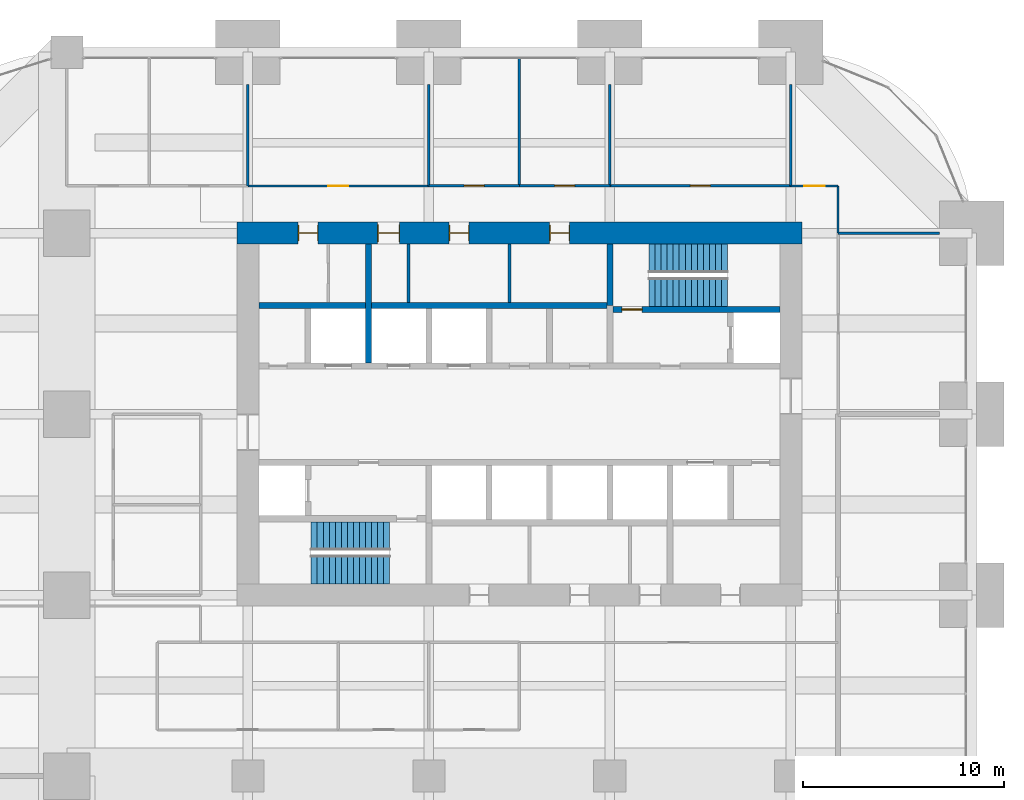
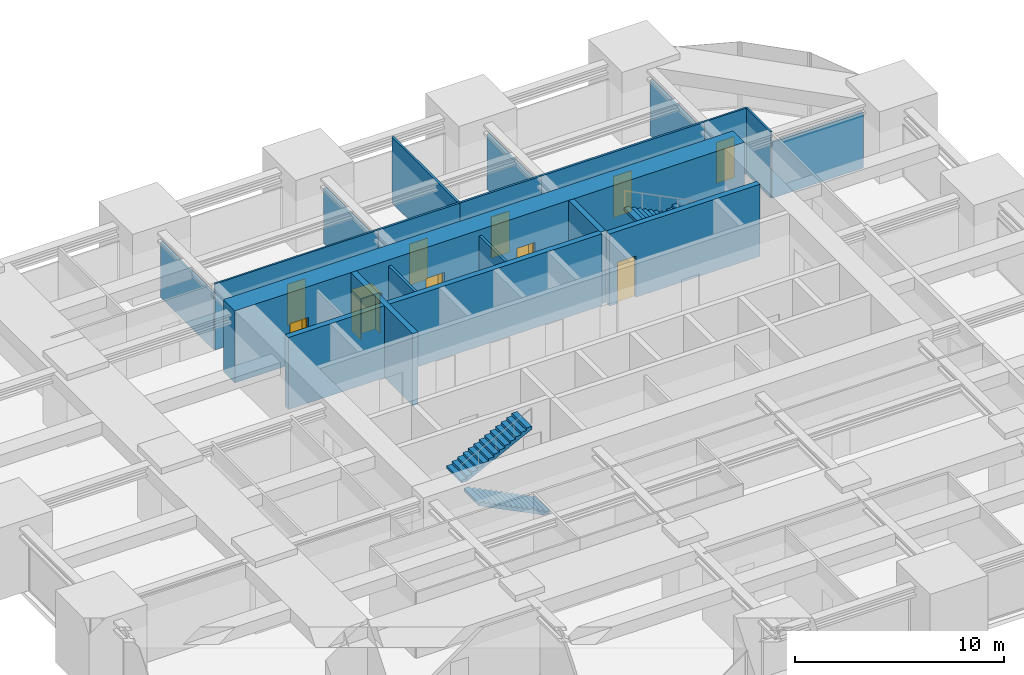
# One storey, part 38 of 39: 19 walls, 10 doors, 4 stair flights, 10 openings, 2 elements without a shape of their own.
"""IFC4 building model written with IfcOpenShell, lengths in metres."""

import ifcopenshell
import ifcopenshell.guid

model = None  # the IFC model being written
_history = None  # IfcOwnerHistory: only IFC2X3 demands one
_inside = {}  # id of a spatial element -> (the spatial element, [elements in it])
_under = {}  # id of a project, library or spatial element -> (it, [spatial elements below it])
_declared = {}  # id of a project -> (the project, [libraries it declares])
_typed = {}  # id of a type object -> (the type object, [elements of that type])
_made_of = {}  # id of a material, layer set ... -> (it, [elements and type objects made of it])


def new_model(schema):
    """Start an empty IFC model of exactly this schema.

    Asked for "IFC4X3", IfcOpenShell would pick the latest addendum, in which some entities
    have other attributes; the version numbers below select the first issue.
    IFC2X3 requires an IfcOwnerHistory on every rooted entity: one is made here for all.
    """
    global model, _history
    if schema == "IFC4X3":
        model = ifcopenshell.file(schema_version=(4, 3, 0, 0))
    else:
        model = ifcopenshell.file(schema=schema)
    _inside.clear()
    _under.clear()
    _declared.clear()
    _typed.clear()
    _made_of.clear()
    _history = None
    if model.schema == "IFC2X3":
        org = make("IfcOrganization", Name="unknown")
        user = make(
            "IfcPersonAndOrganization",
            ThePerson=make("IfcPerson", FamilyName="unknown"),
            TheOrganization=org,
        )
        app = make(
            "IfcApplication",
            ApplicationDeveloper=org,
            Version="unknown",
            ApplicationFullName="unknown",
            ApplicationIdentifier="unknown",
        )
        _history = make(
            "IfcOwnerHistory",
            OwningUser=user,
            OwningApplication=app,
            ChangeAction="ADDED",
            CreationDate=0,
        )
    return model


def make(cls, **values):
    """One entity of the class cls with the attributes given. An attribute that is None is left unset."""
    return model.create_entity(
        cls, **{name: value for name, value in values.items() if value is not None}
    )


def rooted(cls, **values):
    """An entity with a GlobalId (a new one), such as an element, a storey or a relation."""
    return make(cls, GlobalId=ifcopenshell.guid.new(), OwnerHistory=_history, **values)


def si_unit(unit_type, name, prefix=None):
    """IfcSIUnit, for example si_unit("LENGTHUNIT", "METRE", prefix="MILLI")."""
    return make("IfcSIUnit", UnitType=unit_type, Prefix=prefix, Name=name)


def assignment(units):
    """IfcUnitAssignment: the units of a project."""
    return None if units is None else make("IfcUnitAssignment", Units=units)


def point(xyz):
    """IfcCartesianPoint."""
    return None if xyz is None else make("IfcCartesianPoint", Coordinates=xyz)


def direction(xyz):
    """IfcDirection."""
    return None if xyz is None else make("IfcDirection", DirectionRatios=xyz)


def frame(location, z_axis=None, x_axis=None):
    """IfcAxis2Placement3D, a coordinate frame: its origin and axes. An axis left out is left unset."""
    return make(
        "IfcAxis2Placement3D",
        Location=point(location),
        Axis=direction(z_axis),
        RefDirection=direction(x_axis),
    )


def frame_2d(location, x_axis=None):
    """IfcAxis2Placement2D, a coordinate frame in the plane: its origin and x axis."""
    return make(
        "IfcAxis2Placement2D", Location=point(location), RefDirection=direction(x_axis)
    )


def origin():
    """The frame at (0, 0, 0) with its axes left unset."""
    return frame((0.0, 0.0, 0.0))


def place(relative_to, where):
    """IfcLocalPlacement: puts the frame where relative to a parent placement (None: the world)."""
    return make(
        "IfcLocalPlacement", PlacementRelTo=relative_to, RelativePlacement=where
    )


def context(
    kind, dimensions, precision=None, world=None, true_north=None, identifier=None
):
    """IfcGeometricRepresentationContext, for example the 3D "Model" context."""
    return make(
        "IfcGeometricRepresentationContext",
        ContextIdentifier=identifier,
        ContextType=kind,
        CoordinateSpaceDimension=dimensions,
        Precision=precision,
        WorldCoordinateSystem=world,
        TrueNorth=true_north,
    )


def subcontext(parent, identifier, kind, view, scale=None):
    """IfcGeometricRepresentationSubContext, for example "Body" below "Model"."""
    return make(
        "IfcGeometricRepresentationSubContext",
        ContextIdentifier=identifier,
        ContextType=kind,
        ParentContext=parent,
        TargetScale=scale,
        TargetView=view,
    )


def project(units=None, contexts=None):
    """IfcProject with its units and contexts."""
    return rooted(
        "IfcProject",
        Name="project",
        RepresentationContexts=contexts,
        UnitsInContext=assignment(units),
    )


def spatial(cls, under=None, at=None, **own):
    """A site, building, storey or space (cls), placed at a placement, below another one or the project."""
    s = rooted(cls, ObjectPlacement=at, **own)
    if under is not None:
        _under.setdefault(under.id(), (under, []))[1].append(s)
    return s


def polyline(points):
    """IfcPolyline through the points."""
    return make("IfcPolyline", Points=[point(p) for p in points])


def profile(cls, at=None, kind="AREA", **sizes):
    """A parametric profile (cls). Its sizes go by their IFC names, for example OverallWidth=200.0."""
    return make(cls, ProfileType=kind, Position=at, **sizes)


def rectangle(**sizes):
    """IfcRectangleProfileDef."""
    return profile("IfcRectangleProfileDef", **sizes)


def outline(outer, holes=None, kind="AREA"):
    """IfcArbitraryClosedProfileDef: a profile drawn as a closed curve; with holes, ...WithVoids."""
    if holes is None:
        return make("IfcArbitraryClosedProfileDef", ProfileType=kind, OuterCurve=outer)
    return make(
        "IfcArbitraryProfileDefWithVoids",
        ProfileType=kind,
        OuterCurve=outer,
        InnerCurves=holes,
    )


def extrude(swept, where, along, depth):
    """IfcExtrudedAreaSolid: the profile swept, set in the frame where, extruded along a direction by depth."""
    return make(
        "IfcExtrudedAreaSolid",
        SweptArea=swept,
        Position=where,
        ExtrudedDirection=direction(along),
        Depth=depth,
    )


def shape(context_of_items, identifier, shape_type, items):
    """IfcShapeRepresentation: the items that make up one representation, for example the "Body"."""
    return make(
        "IfcShapeRepresentation",
        ContextOfItems=context_of_items,
        RepresentationIdentifier=identifier,
        RepresentationType=shape_type,
        Items=items,
    )


def material(Name=None, Category=None):
    """IfcMaterial."""
    return make("IfcMaterial", Name=Name, Category=Category)


def layer(
    of_material, thickness, ventilated=None, Name=None, Category=None, Priority=None
):
    """IfcMaterialLayer: one layer of a wall or slab, of a material (None: an air gap)."""
    return make(
        "IfcMaterialLayer",
        Material=of_material,
        LayerThickness=thickness,
        IsVentilated=ventilated,
        Name=Name,
        Category=Category,
        Priority=Priority,
    )


def layer_set(layers, Name=None):
    """IfcMaterialLayerSet."""
    return make("IfcMaterialLayerSet", MaterialLayers=layers, LayerSetName=Name)


def made_of(thing, what):
    """Note that an element or type object is made of a material, layer set ...; save() writes the relation."""
    if what is not None:
        _made_of.setdefault(what.id(), (what, []))[1].append(thing)
    return thing


def type_object(cls, material=None, **own):
    """A type object (cls), such as IfcWallType, which elements share."""
    return made_of(rooted(cls, **own), material)


def element(
    cls,
    number,
    at=None,
    inside=None,
    cuts=None,
    type_object=None,
    material=None,
    context=None,
    identifier="Body",
    shape_type=None,
    held_by="IfcProductDefinitionShape",
    body=None,
    shapes=None,
    **own,
):
    """One element of the class cls, such as IfcWall. Its Tag is "e" and its number.

    at: its placement. inside: the storey or other place that contains it. cuts: it is an
    opening in that element (IfcRelVoidsElement). A single representation is given by context,
    identifier, shape_type and body (its items); several are given by shapes. held_by: the class
    of the entity that holds the representations. save() writes the other relations.
    """
    e = rooted(cls, Tag="e%d" % number, ObjectPlacement=at, **own)
    if body is not None:
        shapes = [shape(context, identifier, shape_type, body)]
    if shapes is not None:
        e.Representation = make(held_by, Representations=shapes)
    if inside is not None:
        _inside.setdefault(inside.id(), (inside, []))[1].append(e)
    if cuts is not None:
        rooted(
            "IfcRelVoidsElement", RelatingBuildingElement=cuts, RelatedOpeningElement=e
        )
    if type_object is not None:
        _typed.setdefault(type_object.id(), (type_object, []))[1].append(e)
    return made_of(e, material)


def fill(opening, filler):
    """IfcRelFillsElement: the door or window that sits in an opening."""
    return rooted(
        "IfcRelFillsElement",
        RelatingOpeningElement=opening,
        RelatedBuildingElement=filler,
    )


def aggregate(whole, parts):
    """IfcRelAggregates: a whole, such as a stair, and the parts it consists of."""
    return rooted("IfcRelAggregates", RelatingObject=whole, RelatedObjects=parts)


def save(model, path):
    """Write the relations noted so far, then the file.

    IfcRelAggregates (storeys below a building ...), IfcRelContainedInSpatialStructure (elements
    in a storey), IfcRelDefinesByType, IfcRelAssociatesMaterial and IfcRelDeclares: one each for
    every whole, place, type object, material and project.
    """
    for whole, parts in _under.values():
        aggregate(whole, parts)
    for where, things in _inside.values():
        rooted(
            "IfcRelContainedInSpatialStructure",
            RelatedElements=things,
            RelatingStructure=where,
        )
    for kind, things in _typed.values():
        rooted("IfcRelDefinesByType", RelatedObjects=things, RelatingType=kind)
    for what, things in _made_of.values():
        rooted("IfcRelAssociatesMaterial", RelatedObjects=things, RelatingMaterial=what)
    for by, libraries in _declared.values():
        rooted("IfcRelDeclares", RelatingContext=by, RelatedDefinitions=libraries)
    model.write(path)


model = new_model("IFC4")

# Units and contexts
model_context = context("Model", 3, precision=1e-05, world=origin(), true_north=direction((0.0, 1.0)))
body_context = subcontext(model_context, "Body", "Model", "MODEL_VIEW")
ifc_project = project(units=[si_unit("LENGTHUNIT", "METRE"), si_unit("AREAUNIT", "SQUARE_METRE"), si_unit("VOLUMEUNIT", "CUBIC_METRE"), si_unit("PLANEANGLEUNIT", "RADIAN"), si_unit("MASSUNIT", "GRAM", prefix="KILO")], contexts=[model_context])

# Site, building, storey
site_placement = place(None, origin())
site = spatial("IfcSite", under=ifc_project, at=site_placement, CompositionType="ELEMENT")
building_placement = place(site_placement, origin())
building = spatial("IfcBuilding", under=site, at=building_placement, Name="Zorevar Civic Tower", CompositionType="ELEMENT")
storey_placement = place(building_placement, frame((0.0, 0.0, 230.199951171875)))
storey = spatial("IfcBuildingStorey", under=building, at=storey_placement, Name="L56", CompositionType="ELEMENT", Elevation=230.199951171875)

# Wall, openings, doors
ifc_material_1 = material(Name="Concrete C50/60", Category="concrete")
ifc_layer_1 = layer(ifc_material_1, 1.10009765625)
ifc_layer_set_1 = layer_set([ifc_layer_1], Name="Core wall 1100")
wall_type_1 = type_object("IfcWallType", Name="Core wall 1100", PredefinedType="SHEAR", material=ifc_layer_set_1)
wall_1_placement = place(storey_placement, frame((45.550048828125, 36.0, 0.0), z_axis=(0.0, 0.0, 1.0), x_axis=(-1.0, 0.0, 0.0)))
wall_1 = element("IfcWall", 1, at=wall_1_placement, inside=storey, type_object=wall_type_1, Name="Core wall N L56", PredefinedType="SHEAR", context=body_context, shape_type="SweptSolid", body=[
    extrude(rectangle(XDim=28.10009765625, YDim=1.10009765625, at=frame_2d((14.050048828125, 0.0))), origin(), (0.0, 0.0, 1.0), 4.199951171875),
])
opening_1_placement = place(wall_1_placement, frame((11.550048828125, 0.0, 0.0)))
opening_1 = element("IfcOpeningElement", 2, at=opening_1_placement, cuts=wall_1, Name="Opening L56.07", PredefinedType="OPENING", context=body_context, shape_type="SweptSolid", body=[
    extrude(rectangle(XDim=1.0, YDim=2.39990234375, at=frame_2d((0.5, 1.199951171875))), frame((0.0, 0.56005859375, 0.0), z_axis=(0.0, -1.0, 0.0), x_axis=(1.0, 0.0, 0.0)), (0.0, 0.0, 1.0), 1.1201171875),
])
opening_2_placement = place(wall_1_placement, frame((16.550048828125, 0.0, 0.0)))
opening_2 = element("IfcOpeningElement", 3, at=opening_2_placement, cuts=wall_1, Name="Opening L56.08", PredefinedType="OPENING", context=body_context, shape_type="SweptSolid", body=[
    extrude(rectangle(XDim=1.0, YDim=2.39990234375, at=frame_2d((0.5, 1.199951171875))), frame((0.0, 0.56005859375, 0.0), z_axis=(0.0, -1.0, 0.0), x_axis=(1.0, 0.0, 0.0)), (0.0, 0.0, 1.0), 1.1201171875),
])
opening_3_placement = place(wall_1_placement, frame((20.0, 0.0, 0.0)))
opening_3 = element("IfcOpeningElement", 4, at=opening_3_placement, cuts=wall_1, Name="Opening L56.09", PredefinedType="OPENING", context=body_context, shape_type="SweptSolid", body=[
    extrude(rectangle(XDim=1.10009765625, YDim=2.39990234375, at=frame_2d((0.550048828125, 1.199951171875))), frame((0.0, 0.56005859375, 0.0), z_axis=(0.0, -1.0, 0.0), x_axis=(1.0, 0.0, 0.0)), (0.0, 0.0, 1.0), 1.1201171875),
])
opening_4_placement = place(wall_1_placement, frame((24.050048828125, 0.0, 0.0)))
opening_4 = element("IfcOpeningElement", 5, at=opening_4_placement, cuts=wall_1, Name="Opening L56.10", PredefinedType="OPENING", context=body_context, shape_type="SweptSolid", body=[
    extrude(rectangle(XDim=1.0, YDim=2.39990234375, at=frame_2d((0.5, 1.199951171875))), frame((0.0, 0.56005859375, 0.0), z_axis=(0.0, -1.0, 0.0), x_axis=(1.0, 0.0, 0.0)), (0.0, 0.0, 1.0), 1.1201171875),
])
ifc_material_2 = material(Name="Timber door set", Category="wood")
door_type_1 = type_object("IfcDoorType", Name="Door D1 1000x2400", OperationType="SINGLE_SWING_LEFT", PredefinedType="DOOR", material=ifc_material_2)
door_1_placement = place(opening_1_placement, origin())
door_1 = element("IfcDoor", 6, at=door_1_placement, inside=storey, type_object=door_type_1, Name="Door L56 06", OperationType="SINGLE_SWING_RIGHT", OverallHeight=2.39990234375, OverallWidth=1.0, PredefinedType="DOOR", context=body_context, shape_type="SweptSolid", body=[
    extrude(rectangle(XDim=1.0, YDim=2.39990234375, at=frame_2d((0.5, 1.199951171875))), frame((0.0, 0.02490234375, 0.0), z_axis=(0.0, -1.0, 0.0), x_axis=(1.0, 0.0, 0.0)), (0.0, 0.0, 1.0), 0.050048828125),
    extrude(rectangle(XDim=0.04, YDim=2.39990234375, at=frame_2d((0.02001953125, 1.199951171875))), frame((0.0, 0.39990234375, 0.0), z_axis=(0.0, -1.0, 0.0), x_axis=(1.0, 0.0, 0.0)), (0.0, 0.0, 1.0), 0.800048828125),
    extrude(rectangle(XDim=0.04, YDim=2.39990234375, at=frame_2d((0.97998046875, 1.199951171875))), frame((0.0, 0.39990234375, 0.0), z_axis=(0.0, -1.0, 0.0), x_axis=(1.0, 0.0, 0.0)), (0.0, 0.0, 1.0), 0.800048828125),
    extrude(rectangle(XDim=1.0, YDim=0.04, at=frame_2d((0.5, 2.3798828125))), frame((0.0, 0.39990234375, 0.0), z_axis=(0.0, -1.0, 0.0), x_axis=(1.0, 0.0, 0.0)), (0.0, 0.0, 1.0), 0.800048828125),
])
fill(opening_1, door_1)
door_2_placement = place(opening_2_placement, origin())
door_2 = element("IfcDoor", 7, at=door_2_placement, inside=storey, type_object=door_type_1, Name="Door L56 07", OperationType="SINGLE_SWING_LEFT", OverallHeight=2.39990234375, OverallWidth=1.0, PredefinedType="DOOR", context=body_context, shape_type="SweptSolid", body=[
    extrude(rectangle(XDim=1.0, YDim=2.39990234375, at=frame_2d((0.5, 1.199951171875))), frame((0.0, 0.02490234375, 0.0), z_axis=(0.0, -1.0, 0.0), x_axis=(1.0, 0.0, 0.0)), (0.0, 0.0, 1.0), 0.050048828125),
    extrude(rectangle(XDim=0.04, YDim=2.39990234375, at=frame_2d((0.02001953125, 1.199951171875))), frame((0.0, 0.39990234375, 0.0), z_axis=(0.0, -1.0, 0.0), x_axis=(1.0, 0.0, 0.0)), (0.0, 0.0, 1.0), 0.800048828125),
    extrude(rectangle(XDim=0.04, YDim=2.39990234375, at=frame_2d((0.97998046875, 1.199951171875))), frame((0.0, 0.39990234375, 0.0), z_axis=(0.0, -1.0, 0.0), x_axis=(1.0, 0.0, 0.0)), (0.0, 0.0, 1.0), 0.800048828125),
    extrude(rectangle(XDim=1.0, YDim=0.04, at=frame_2d((0.5, 2.3798828125))), frame((0.0, 0.39990234375, 0.0), z_axis=(0.0, -1.0, 0.0), x_axis=(1.0, 0.0, 0.0)), (0.0, 0.0, 1.0), 0.800048828125),
])
fill(opening_2, door_2)
door_3_placement = place(opening_4_placement, origin())
door_3 = element("IfcDoor", 8, at=door_3_placement, inside=storey, type_object=door_type_1, Name="Door L56 09", OperationType="SINGLE_SWING_LEFT", OverallHeight=2.39990234375, OverallWidth=1.0, PredefinedType="DOOR", context=body_context, shape_type="SweptSolid", body=[
    extrude(rectangle(XDim=1.0, YDim=2.39990234375, at=frame_2d((0.5, 1.199951171875))), frame((0.0, 0.02490234375, 0.0), z_axis=(0.0, -1.0, 0.0), x_axis=(1.0, 0.0, 0.0)), (0.0, 0.0, 1.0), 0.050048828125),
    extrude(rectangle(XDim=0.04, YDim=2.39990234375, at=frame_2d((0.02001953125, 1.199951171875))), frame((0.0, 0.39990234375, 0.0), z_axis=(0.0, -1.0, 0.0), x_axis=(1.0, 0.0, 0.0)), (0.0, 0.0, 1.0), 0.800048828125),
    extrude(rectangle(XDim=0.04, YDim=2.39990234375, at=frame_2d((0.97998046875, 1.199951171875))), frame((0.0, 0.39990234375, 0.0), z_axis=(0.0, -1.0, 0.0), x_axis=(1.0, 0.0, 0.0)), (0.0, 0.0, 1.0), 0.800048828125),
    extrude(rectangle(XDim=1.0, YDim=0.04, at=frame_2d((0.5, 2.3798828125))), frame((0.0, 0.39990234375, 0.0), z_axis=(0.0, -1.0, 0.0), x_axis=(1.0, 0.0, 0.0)), (0.0, 0.0, 1.0), 0.800048828125),
])
fill(opening_4, door_3)
ifc_material_3 = material(Name="Timber door set", Category="wood")
door_type_2 = type_object("IfcDoorType", Name="Door D5 1100x2400", OperationType="SINGLE_SWING_LEFT", PredefinedType="DOOR", material=ifc_material_3)
door_4_placement = place(opening_3_placement, origin())
door_4 = element("IfcDoor", 9, at=door_4_placement, inside=storey, type_object=door_type_2, Name="Door L56 08", OperationType="SINGLE_SWING_LEFT", OverallHeight=2.39990234375, OverallWidth=1.10009765625, PredefinedType="DOOR", context=body_context, shape_type="SweptSolid", body=[
    extrude(rectangle(XDim=1.10009765625, YDim=2.39990234375, at=frame_2d((0.550048828125, 1.199951171875))), frame((0.0, 0.02490234375, 0.0), z_axis=(0.0, -1.0, 0.0), x_axis=(1.0, 0.0, 0.0)), (0.0, 0.0, 1.0), 0.050048828125),
    extrude(rectangle(XDim=0.04, YDim=2.39990234375, at=frame_2d((0.02001953125, 1.199951171875))), frame((0.0, 0.43994140625, 0.0), z_axis=(0.0, -1.0, 0.0), x_axis=(1.0, 0.0, 0.0)), (0.0, 0.0, 1.0), 0.880126953125),
    extrude(rectangle(XDim=0.04, YDim=2.39990234375, at=frame_2d((1.080078125, 1.199951171875))), frame((0.0, 0.43994140625, 0.0), z_axis=(0.0, -1.0, 0.0), x_axis=(1.0, 0.0, 0.0)), (0.0, 0.0, 1.0), 0.880126953125),
    extrude(rectangle(XDim=1.10009765625, YDim=0.04, at=frame_2d((0.550048828125, 2.3798828125))), frame((0.0, 0.43994140625, 0.0), z_axis=(0.0, -1.0, 0.0), x_axis=(1.0, 0.0, 0.0)), (0.0, 0.0, 1.0), 0.880126953125),
])
fill(opening_3, door_4)

# Wall, opening, door
ifc_material_4 = material(Name="Laminated glass in black aluminium frame", Category="aluminium")
ifc_layer_2 = layer(ifc_material_4, 0.10009765625)
ifc_layer_set_2 = layer_set([ifc_layer_2], Name="Glazed partition 100")
wall_type_2 = type_object("IfcWallType", Name="Glazed partition 100", PredefinedType="PARTITIONING", material=ifc_layer_set_2)
wall_2_placement = place(storey_placement, frame((18.0, 38.35009765625, 0.0), z_axis=(0.0, 0.0, 1.0), x_axis=(1.0, 0.0, 0.0)))
wall_2 = element("IfcWall", 10, at=wall_2_placement, inside=storey, type_object=wall_type_2, Name="Glazed partition 100 L56", PredefinedType="PARTITIONING", context=body_context, shape_type="SweptSolid", body=[
    extrude(rectangle(XDim=9.0, YDim=0.10009765625, at=frame_2d((4.5, 0.0))), origin(), (0.0, 0.0, 1.0), 3.85009765625),
])
opening_5_placement = place(wall_2_placement, frame((4.0, 0.0, 0.0)))
opening_5 = element("IfcOpeningElement", 11, at=opening_5_placement, cuts=wall_2, Name="Opening L56.29", PredefinedType="OPENING", context=body_context, shape_type="SweptSolid", body=[
    extrude(rectangle(XDim=1.0, YDim=2.39990234375, at=frame_2d((0.5, 1.199951171875))), frame((0.0, 0.06005859375, 0.0), z_axis=(0.0, -1.0, 0.0), x_axis=(1.0, 0.0, 0.0)), (0.0, 0.0, 1.0), 0.1201171875),
])
ifc_material_5 = material(Name="Timber door set", Category="wood")
door_type_3 = type_object("IfcDoorType", Name="Glazed door GD1 1000x2400", OperationType="SINGLE_SWING_LEFT", PredefinedType="DOOR", material=ifc_material_5)
door_5_placement = place(opening_5_placement, origin())
door_5 = element("IfcDoor", 12, at=door_5_placement, inside=storey, type_object=door_type_3, Name="Door L56 D1", OperationType="SINGLE_SWING_RIGHT", OverallHeight=2.39990234375, OverallWidth=1.0, PredefinedType="DOOR", context=body_context, shape_type="SweptSolid", body=[
    extrude(rectangle(XDim=1.0, YDim=2.39990234375, at=frame_2d((0.5, 1.199951171875))), frame((0.0, 0.02001953125, 0.0), z_axis=(0.0, -1.0, 0.0), x_axis=(1.0, 0.0, 0.0)), (0.0, 0.0, 1.0), 0.0400390625),
])
fill(opening_5, door_5)

wall_3_placement = place(storey_placement, frame((45.0, 38.35009765625, 0.0), z_axis=(0.0, 0.0, 1.0), x_axis=(1.0, 0.0, 0.0)))
wall_3 = element("IfcWall", 13, at=wall_3_placement, inside=storey, type_object=wall_type_2, Name="Glazed partition 100 L56", PredefinedType="PARTITIONING", context=body_context, shape_type="SweptSolid", body=[
    extrude(rectangle(XDim=2.35009765625, YDim=0.10009765625, at=frame_2d((1.175048828125, 0.0))), origin(), (0.0, 0.0, 1.0), 3.85009765625),
])
opening_6_placement = place(wall_3_placement, frame((0.675048828125, 0.0, 0.0)))
opening_6 = element("IfcOpeningElement", 14, at=opening_6_placement, cuts=wall_3, Name="Opening L56.30", PredefinedType="OPENING", context=body_context, shape_type="SweptSolid", body=[
    extrude(rectangle(XDim=1.0, YDim=2.39990234375, at=frame_2d((0.5, 1.199951171875))), frame((0.0, 0.06005859375, 0.0), z_axis=(0.0, -1.0, 0.0), x_axis=(1.0, 0.0, 0.0)), (0.0, 0.0, 1.0), 0.1201171875),
])
door_6_placement = place(opening_6_placement, origin())
door_6 = element("IfcDoor", 15, at=door_6_placement, inside=storey, type_object=door_type_3, Name="Door L56 D1", OperationType="SINGLE_SWING_RIGHT", OverallHeight=2.39990234375, OverallWidth=1.0, PredefinedType="DOOR", context=body_context, shape_type="SweptSolid", body=[
    extrude(rectangle(XDim=1.0, YDim=2.39990234375, at=frame_2d((0.5, 1.199951171875))), frame((0.0, 0.02001953125, 0.0), z_axis=(0.0, -1.0, 0.0), x_axis=(1.0, 0.0, 0.0)), (0.0, 0.0, 1.0), 0.0400390625),
])
fill(opening_6, door_6)

# Wall
wall_4_placement = place(storey_placement, frame((47.35009765625, 36.0, 0.0), z_axis=(0.0, 0.0, 1.0), x_axis=(0.0, 1.0, 0.0)))
element("IfcWall", 16, at=wall_4_placement, inside=storey, type_object=wall_type_2, Name="Glazed partition 100 L56", PredefinedType="PARTITIONING", context=body_context, shape_type="SweptSolid", body=[
    extrude(rectangle(XDim=2.35009765625, YDim=0.10009765625, at=frame_2d((1.175048828125, 0.0))), origin(), (0.0, 0.0, 1.0), 3.85009765625),
])

# Wall, opening, door
ifc_material_6 = material(Name="Concrete C40/50", Category="concrete")
ifc_layer_3 = layer(ifc_material_6, 0.300048828125)
ifc_layer_set_3 = layer_set([ifc_layer_3], Name="Inner core wall 300")
wall_type_3 = type_object("IfcWallType", Name="Inner core wall 300", PredefinedType="SHEAR", material=ifc_layer_set_3)
wall_5_placement = place(storey_placement, frame((36.14990234375, 32.199951171875, 0.0), z_axis=(0.0, 0.0, 1.0), x_axis=(1.0, 0.0, 0.0)))
wall_5 = element("IfcWall", 17, at=wall_5_placement, inside=storey, type_object=wall_type_3, Name="Inner core wall N00 L56", PredefinedType="SHEAR", context=body_context, shape_type="SweptSolid", body=[
    extrude(rectangle(XDim=8.300048828125, YDim=0.300048828125, at=frame_2d((4.14990234375, 0.0))), origin(), (0.0, 0.0, 1.0), 4.199951171875),
])
opening_7_placement = place(wall_5_placement, frame((0.449951171875, 0.0, 0.0)))
opening_7 = element("IfcOpeningElement", 18, at=opening_7_placement, cuts=wall_5, Name="Opening L56.12", PredefinedType="OPENING", context=body_context, shape_type="SweptSolid", body=[
    extrude(rectangle(XDim=1.0, YDim=2.39990234375, at=frame_2d((0.5, 1.199951171875))), frame((0.0, 0.159912109375, 0.0), z_axis=(0.0, -1.0, 0.0), x_axis=(1.0, 0.0, 0.0)), (0.0, 0.0, 1.0), 0.320068359375),
])
ifc_material_7 = material(Name="Steel door set", Category="steel")
door_type_4 = type_object("IfcDoorType", Name="Fire door FD1 1000x2400", OperationType="SINGLE_SWING_LEFT", PredefinedType="DOOR", material=ifc_material_7)
door_7_placement = place(opening_7_placement, origin())
door_7 = element("IfcDoor", 19, at=door_7_placement, inside=storey, type_object=door_type_4, Name="Door L56 11", OperationType="SINGLE_SWING_RIGHT", OverallHeight=2.39990234375, OverallWidth=1.0, PredefinedType="DOOR", context=body_context, shape_type="SweptSolid", body=[
    extrude(rectangle(XDim=1.0, YDim=2.39990234375, at=frame_2d((0.5, 1.199951171875))), frame((0.0, 0.030029296875, 0.0), z_axis=(0.0, -1.0, 0.0), x_axis=(1.0, 0.0, 0.0)), (0.0, 0.0, 1.0), 0.06005859375),
])
fill(opening_7, door_7)

# Walls
wall_6_placement = place(storey_placement, frame((36.0, 32.39990234375, 0.0), z_axis=(0.0, 0.0, 1.0), x_axis=(0.0, 1.0, 0.0)))
element("IfcWall", 20, at=wall_6_placement, inside=storey, type_object=wall_type_3, Name="Inner core wall N01 L56", PredefinedType="SHEAR", context=body_context, shape_type="SweptSolid", body=[
    extrude(rectangle(XDim=3.050048828125, YDim=0.300048828125, at=frame_2d((1.52490234375, 0.0))), origin(), (0.0, 0.0, 1.0), 4.199951171875),
])
wall_7_placement = place(storey_placement, frame((18.550048828125, 32.39990234375, 0.0), z_axis=(0.0, 0.0, 1.0), x_axis=(1.0, 0.0, 0.0)))
element("IfcWall", 21, at=wall_7_placement, inside=storey, type_object=wall_type_3, Name="Inner core wall N04 L56", PredefinedType="SHEAR", context=body_context, shape_type="SweptSolid", body=[
    extrude(rectangle(XDim=17.300048828125, YDim=0.300048828125, at=frame_2d((8.64990234375, 0.0))), origin(), (0.0, 0.0, 1.0), 4.199951171875),
])
wall_8_placement = place(storey_placement, frame((24.0, 29.550048828125, 0.0), z_axis=(0.0, 0.0, 1.0), x_axis=(0.0, 1.0, 0.0)))
element("IfcWall", 22, at=wall_8_placement, inside=storey, type_object=wall_type_3, Name="Inner core wall N08 L56", PredefinedType="SHEAR", context=body_context, shape_type="SweptSolid", body=[
    extrude(rectangle(XDim=5.89990234375, YDim=0.300048828125, at=frame_2d((2.949951171875, 0.0))), origin(), (0.0, 0.0, 1.0), 4.199951171875),
])
ifc_material_8 = material(Name="Gypsum board on steel studs", Category="steel")
ifc_layer_4 = layer(ifc_material_8, 0.1201171875)
ifc_layer_set_4 = layer_set([ifc_layer_4], Name="Partition 120")
wall_type_4 = type_object("IfcWallType", Name="Partition 120", PredefinedType="PARTITIONING", material=ifc_layer_set_4)
wall_9_placement = place(storey_placement, frame((47.35009765625, 36.0, 0.0), z_axis=(0.0, 0.0, 1.0), x_axis=(1.0, 0.0, 0.0)))
element("IfcWall", 23, at=wall_9_placement, inside=storey, type_object=wall_type_4, Name="Partition 120 L56", PredefinedType="PARTITIONING", context=body_context, shape_type="SweptSolid", body=[
    extrude(rectangle(XDim=5.0498046875, YDim=0.1201171875, at=frame_2d((2.52490234375, 0.0))), origin(), (0.0, 0.0, 1.0), 3.25),
])

# Wall, opening, door
wall_10_placement = place(storey_placement, frame((27.0, 38.35009765625, 0.0), z_axis=(0.0, 0.0, 1.0), x_axis=(1.0, 0.0, 0.0)))
wall_10 = element("IfcWall", 24, at=wall_10_placement, inside=storey, type_object=wall_type_4, Name="Partition 120 L56", PredefinedType="PARTITIONING", context=body_context, shape_type="SweptSolid", body=[
    extrude(rectangle(XDim=4.5, YDim=0.1201171875, at=frame_2d((2.25, 0.0))), origin(), (0.0, 0.0, 1.0), 3.85009765625),
])
opening_8_placement = place(wall_10_placement, frame((1.75, 0.0, 0.0)))
opening_8 = element("IfcOpeningElement", 25, at=opening_8_placement, cuts=wall_10, Name="Opening L56.26", PredefinedType="OPENING", context=body_context, shape_type="SweptSolid", body=[
    extrude(rectangle(XDim=1.0, YDim=2.39990234375, at=frame_2d((0.5, 1.199951171875))), frame((0.0, 0.070068359375, 0.0), z_axis=(0.0, -1.0, 0.0), x_axis=(1.0, 0.0, 0.0)), (0.0, 0.0, 1.0), 0.14013671875),
])
door_8_placement = place(opening_8_placement, origin())
door_8 = element("IfcDoor", 26, at=door_8_placement, inside=storey, type_object=door_type_1, Name="Door L56 D1", OperationType="SINGLE_SWING_LEFT", OverallHeight=2.39990234375, OverallWidth=1.0, PredefinedType="DOOR", context=body_context, shape_type="SweptSolid", body=[
    extrude(rectangle(XDim=1.0, YDim=2.39990234375, at=frame_2d((0.5, 1.199951171875))), frame((0.0, 0.02490234375, 0.0), z_axis=(0.0, -1.0, 0.0), x_axis=(1.0, 0.0, 0.0)), (0.0, 0.0, 1.0), 0.050048828125),
])
fill(opening_8, door_8)

wall_11_placement = place(storey_placement, frame((31.5, 38.35009765625, 0.0), z_axis=(0.0, 0.0, 1.0), x_axis=(1.0, 0.0, 0.0)))
wall_11 = element("IfcWall", 27, at=wall_11_placement, inside=storey, type_object=wall_type_4, Name="Partition 120 L56", PredefinedType="PARTITIONING", context=body_context, shape_type="SweptSolid", body=[
    extrude(rectangle(XDim=4.5, YDim=0.1201171875, at=frame_2d((2.25, 0.0))), origin(), (0.0, 0.0, 1.0), 3.85009765625),
])
opening_9_placement = place(wall_11_placement, frame((1.75, 0.0, 0.0)))
opening_9 = element("IfcOpeningElement", 28, at=opening_9_placement, cuts=wall_11, Name="Opening L56.27", PredefinedType="OPENING", context=body_context, shape_type="SweptSolid", body=[
    extrude(rectangle(XDim=1.0, YDim=2.39990234375, at=frame_2d((0.5, 1.199951171875))), frame((0.0, 0.070068359375, 0.0), z_axis=(0.0, -1.0, 0.0), x_axis=(1.0, 0.0, 0.0)), (0.0, 0.0, 1.0), 0.14013671875),
])
door_9_placement = place(opening_9_placement, origin())
door_9 = element("IfcDoor", 29, at=door_9_placement, inside=storey, type_object=door_type_1, Name="Door L56 D1", OperationType="SINGLE_SWING_RIGHT", OverallHeight=2.39990234375, OverallWidth=1.0, PredefinedType="DOOR", context=body_context, shape_type="SweptSolid", body=[
    extrude(rectangle(XDim=1.0, YDim=2.39990234375, at=frame_2d((0.5, 1.199951171875))), frame((0.0, 0.02490234375, 0.0), z_axis=(0.0, -1.0, 0.0), x_axis=(1.0, 0.0, 0.0)), (0.0, 0.0, 1.0), 0.050048828125),
])
fill(opening_9, door_9)

wall_12_placement = place(storey_placement, frame((36.0, 38.35009765625, 0.0), z_axis=(0.0, 0.0, 1.0), x_axis=(1.0, 0.0, 0.0)))
wall_12 = element("IfcWall", 30, at=wall_12_placement, inside=storey, type_object=wall_type_4, Name="Partition 120 L56", PredefinedType="PARTITIONING", context=body_context, shape_type="SweptSolid", body=[
    extrude(rectangle(XDim=9.0, YDim=0.1201171875, at=frame_2d((4.5, 0.0))), origin(), (0.0, 0.0, 1.0), 3.85009765625),
])
opening_10_placement = place(wall_12_placement, frame((4.0, 0.0, 0.0)))
opening_10 = element("IfcOpeningElement", 31, at=opening_10_placement, cuts=wall_12, Name="Opening L56.28", PredefinedType="OPENING", context=body_context, shape_type="SweptSolid", body=[
    extrude(rectangle(XDim=1.0, YDim=2.39990234375, at=frame_2d((0.5, 1.199951171875))), frame((0.0, 0.070068359375, 0.0), z_axis=(0.0, -1.0, 0.0), x_axis=(1.0, 0.0, 0.0)), (0.0, 0.0, 1.0), 0.14013671875),
])
door_10_placement = place(opening_10_placement, origin())
door_10 = element("IfcDoor", 32, at=door_10_placement, inside=storey, type_object=door_type_1, Name="Door L56 D1", OperationType="SINGLE_SWING_LEFT", OverallHeight=2.39990234375, OverallWidth=1.0, PredefinedType="DOOR", context=body_context, shape_type="SweptSolid", body=[
    extrude(rectangle(XDim=1.0, YDim=2.39990234375, at=frame_2d((0.5, 1.199951171875))), frame((0.0, 0.02490234375, 0.0), z_axis=(0.0, -1.0, 0.0), x_axis=(1.0, 0.0, 0.0)), (0.0, 0.0, 1.0), 0.050048828125),
])
fill(opening_10, door_10)

# Walls
for number, where, z_axis, x_axis, name in (
    (33, (18.0, 38.35009765625, 0.0), (0.0, 0.0, 1.0), (0.0, 1.0, 0.0), "Partition 120 L56"),
    (34, (27.0, 38.35009765625, 0.0), (0.0, 0.0, 1.0), (0.0, 1.0, 0.0), "Partition 120 L56"),
):
    element("IfcWall", number, at=place(storey_placement, frame(where, z_axis=z_axis, x_axis=x_axis)), inside=storey, type_object=wall_type_4, Name=name, PredefinedType="PARTITIONING", context=body_context, shape_type="SweptSolid", body=[
        extrude(rectangle(XDim=5.0498046875, YDim=0.1201171875, at=frame_2d((2.52490234375, 0.0))), origin(), (0.0, 0.0, 1.0), 3.25),
    ])
wall_13_placement = place(storey_placement, frame((31.5, 38.35009765625, 0.0), z_axis=(0.0, 0.0, 1.0), x_axis=(0.0, 1.0, 0.0)))
element("IfcWall", 35, at=wall_13_placement, inside=storey, type_object=wall_type_4, Name="Partition 120 L56", PredefinedType="PARTITIONING", context=body_context, shape_type="SweptSolid", body=[
    extrude(rectangle(XDim=6.33984375, YDim=0.1201171875, at=frame_2d((3.169921875, 0.0))), origin(), (0.0, 0.0, 1.0), 3.85009765625),
])
for number, where, z_axis, x_axis, name in (
    (36, (36.0, 38.35009765625, 0.0), (0.0, 0.0, 1.0), (0.0, 1.0, 0.0), "Partition 120 L56"),
    (37, (45.0, 38.35009765625, 0.0), (0.0, 0.0, 1.0), (0.0, 1.0, 0.0), "Partition 120 L56"),
):
    element("IfcWall", number, at=place(storey_placement, frame(where, z_axis=z_axis, x_axis=x_axis)), inside=storey, type_object=wall_type_4, Name=name, PredefinedType="PARTITIONING", context=body_context, shape_type="SweptSolid", body=[
        extrude(rectangle(XDim=5.0498046875, YDim=0.1201171875, at=frame_2d((2.52490234375, 0.0))), origin(), (0.0, 0.0, 1.0), 3.25),
    ])
ifc_material_9 = material(Name="Gypsum board on steel studs, moisture resistant", Category="steel")
ifc_layer_5 = layer(ifc_material_9, 0.14990234375)
ifc_layer_set_5 = layer_set([ifc_layer_5], Name="WC partition 150")
wall_type_5 = type_object("IfcWallType", Name="WC partition 150", PredefinedType="PARTITIONING", material=ifc_layer_set_5)
for number, where, z_axis, x_axis, name in (
    (38, (31.0, 32.550048828125, 0.0), (0.0, 0.0, 1.0), (0.0, 1.0, 0.0), "WC partition L56"),
    (39, (26.0, 32.550048828125, 0.0), (0.0, 0.0, 1.0), (0.0, 1.0, 0.0), "WC partition L56"),
):
    element("IfcWall", number, at=place(storey_placement, frame(where, z_axis=z_axis, x_axis=x_axis)), inside=storey, type_object=wall_type_5, Name=name, PredefinedType="PARTITIONING", context=body_context, shape_type="SweptSolid", body=[
        extrude(rectangle(XDim=2.89990234375, YDim=0.14990234375, at=frame_2d((1.449951171875, 0.0))), origin(), (0.0, 0.0, 1.0), 3.85009765625),
    ])

# Stair, stair flights
ifc_material_10 = material(Name="Precast concrete C40/50", Category="concrete")
stair_type = type_object("IfcStairType", Name="Stair ST 28R", PredefinedType="HALF_TURN_STAIR", material=ifc_material_10)
stair_1_placement = place(storey_placement, origin())
stair_1 = element("IfcStair", 40, at=stair_1_placement, inside=storey, type_object=stair_type, Name="Stair ST1 L56", PredefinedType="HALF_TURN_STAIR")
ifc_material_11 = material(Name="Precast concrete C40/50", Category="concrete")
stair_flight_type = type_object("IfcStairFlightType", Name="Stair flight", PredefinedType="STRAIGHT", material=ifc_material_11)
stair_flight_1_placement = place(storey_placement, frame((25.050048828125, 19.262451171875, 0.0), z_axis=(0.0, 0.0, 1.0), x_axis=(-1.0, 0.0, 0.0)))
stair_flight_1 = element("IfcStairFlight", 41, at=stair_flight_1_placement, type_object=stair_flight_type, Name="ST1 flight 1", NumberOfRisers=14, NumberOfTreads=13, PredefinedType="STRAIGHT", RiserHeight=0.15, TreadLength=0.3, context=body_context, shape_type="SweptSolid", body=[
    extrude(outline(polyline([(0.0, 0.0), (0.0, 0.14990234375), (0.300048828125, 0.14990234375), (0.300048828125, 0.300048828125), (0.60009765625, 0.300048828125), (0.60009765625, 0.449951171875), (0.89990234375, 0.449951171875), (0.89990234375, 0.60009765625), (1.199951171875, 0.60009765625), (1.199951171875, 0.75), (1.5, 0.75), (1.5, 0.89990234375), (1.800048828125, 0.89990234375), (1.800048828125, 1.050048828125), (2.10009765625, 1.050048828125), (2.10009765625, 1.199951171875), (2.39990234375, 1.199951171875), (2.39990234375, 1.35009765625), (2.699951171875, 1.35009765625), (2.699951171875, 1.5), (3.0, 1.5), (3.0, 1.64990234375), (3.300048828125, 1.64990234375), (3.300048828125, 1.800048828125), (3.60009765625, 1.800048828125), (3.60009765625, 1.949951171875), (3.89990234375, 1.949951171875), (3.89990234375, 2.10009765625), (3.89990234375, 1.782470703125), (0.335205078125, 0.0), (0.0, 0.0)])), frame((0.0, 0.71240234375, 0.0), z_axis=(0.0, -1.0, 0.0), x_axis=(1.0, 0.0, 0.0)), (0.0, 0.0, 1.0), 1.425048828125),
])
stair_flight_2_placement = place(storey_placement, frame((21.14990234375, 20.9375, 2.10009765625), z_axis=(0.0, 0.0, 1.0), x_axis=(1.0, 0.0, 0.0)))
stair_flight_2 = element("IfcStairFlight", 42, at=stair_flight_2_placement, type_object=stair_flight_type, Name="ST1 flight 2", NumberOfRisers=14, NumberOfTreads=13, PredefinedType="STRAIGHT", RiserHeight=0.15, TreadLength=0.3, context=body_context, shape_type="SweptSolid", body=[
    extrude(outline(polyline([(0.0, 0.0), (0.0, 0.14990234375), (0.300048828125, 0.14990234375), (0.300048828125, 0.300048828125), (0.60009765625, 0.300048828125), (0.60009765625, 0.449951171875), (0.89990234375, 0.449951171875), (0.89990234375, 0.60009765625), (1.199951171875, 0.60009765625), (1.199951171875, 0.75), (1.5, 0.75), (1.5, 0.89990234375), (1.800048828125, 0.89990234375), (1.800048828125, 1.050048828125), (2.10009765625, 1.050048828125), (2.10009765625, 1.199951171875), (2.39990234375, 1.199951171875), (2.39990234375, 1.35009765625), (2.699951171875, 1.35009765625), (2.699951171875, 1.5), (3.0, 1.5), (3.0, 1.64990234375), (3.300048828125, 1.64990234375), (3.300048828125, 1.800048828125), (3.60009765625, 1.800048828125), (3.60009765625, 1.949951171875), (3.89990234375, 1.949951171875), (3.89990234375, 2.10009765625), (3.89990234375, 1.782470703125), (0.335205078125, 0.0), (0.0, 0.0)])), frame((0.0, 0.71240234375, 0.0), z_axis=(0.0, -1.0, 0.0), x_axis=(1.0, 0.0, 0.0)), (0.0, 0.0, 1.0), 1.425048828125),
])
aggregate(stair_1, [stair_flight_1, stair_flight_2])

stair_2_placement = place(storey_placement, origin())
stair_2 = element("IfcStair", 43, at=stair_2_placement, inside=storey, type_object=stair_type, Name="Stair ST2 L56", PredefinedType="HALF_TURN_STAIR")
stair_flight_3_placement = place(storey_placement, frame((37.949951171875, 34.737548828125, 0.0), z_axis=(0.0, 0.0, 1.0), x_axis=(1.0, 0.0, 0.0)))
stair_flight_3 = element("IfcStairFlight", 44, at=stair_flight_3_placement, type_object=stair_flight_type, Name="ST2 flight 1", NumberOfRisers=14, NumberOfTreads=13, PredefinedType="STRAIGHT", RiserHeight=0.15, TreadLength=0.3, context=body_context, shape_type="SweptSolid", body=[
    extrude(outline(polyline([(0.0, 0.0), (0.0, 0.14990234375), (0.300048828125, 0.14990234375), (0.300048828125, 0.300048828125), (0.60009765625, 0.300048828125), (0.60009765625, 0.449951171875), (0.89990234375, 0.449951171875), (0.89990234375, 0.60009765625), (1.199951171875, 0.60009765625), (1.199951171875, 0.75), (1.5, 0.75), (1.5, 0.89990234375), (1.800048828125, 0.89990234375), (1.800048828125, 1.050048828125), (2.10009765625, 1.050048828125), (2.10009765625, 1.199951171875), (2.39990234375, 1.199951171875), (2.39990234375, 1.35009765625), (2.699951171875, 1.35009765625), (2.699951171875, 1.5), (3.0, 1.5), (3.0, 1.64990234375), (3.300048828125, 1.64990234375), (3.300048828125, 1.800048828125), (3.60009765625, 1.800048828125), (3.60009765625, 1.949951171875), (3.89990234375, 1.949951171875), (3.89990234375, 2.10009765625), (3.89990234375, 1.782470703125), (0.335205078125, 0.0), (0.0, 0.0)])), frame((0.0, 0.71240234375, 0.0), z_axis=(0.0, -1.0, 0.0), x_axis=(1.0, 0.0, 0.0)), (0.0, 0.0, 1.0), 1.425048828125),
])
stair_flight_4_placement = place(storey_placement, frame((41.85009765625, 33.0625, 2.10009765625), z_axis=(0.0, 0.0, 1.0), x_axis=(-1.0, 0.0, 0.0)))
stair_flight_4 = element("IfcStairFlight", 45, at=stair_flight_4_placement, type_object=stair_flight_type, Name="ST2 flight 2", NumberOfRisers=14, NumberOfTreads=13, PredefinedType="STRAIGHT", RiserHeight=0.15, TreadLength=0.3, context=body_context, shape_type="SweptSolid", body=[
    extrude(outline(polyline([(0.0, 0.0), (0.0, 0.14990234375), (0.300048828125, 0.14990234375), (0.300048828125, 0.300048828125), (0.60009765625, 0.300048828125), (0.60009765625, 0.449951171875), (0.89990234375, 0.449951171875), (0.89990234375, 0.60009765625), (1.199951171875, 0.60009765625), (1.199951171875, 0.75), (1.5, 0.75), (1.5, 0.89990234375), (1.800048828125, 0.89990234375), (1.800048828125, 1.050048828125), (2.10009765625, 1.050048828125), (2.10009765625, 1.199951171875), (2.39990234375, 1.199951171875), (2.39990234375, 1.35009765625), (2.699951171875, 1.35009765625), (2.699951171875, 1.5), (3.0, 1.5), (3.0, 1.64990234375), (3.300048828125, 1.64990234375), (3.300048828125, 1.800048828125), (3.60009765625, 1.800048828125), (3.60009765625, 1.949951171875), (3.89990234375, 1.949951171875), (3.89990234375, 2.10009765625), (3.89990234375, 1.782470703125), (0.335205078125, 0.0), (0.0, 0.0)])), frame((0.0, 0.71240234375, 0.0), z_axis=(0.0, -1.0, 0.0), x_axis=(1.0, 0.0, 0.0)), (0.0, 0.0, 1.0), 1.425048828125),
])
aggregate(stair_2, [stair_flight_3, stair_flight_4])

save(model, "model.ifc")
